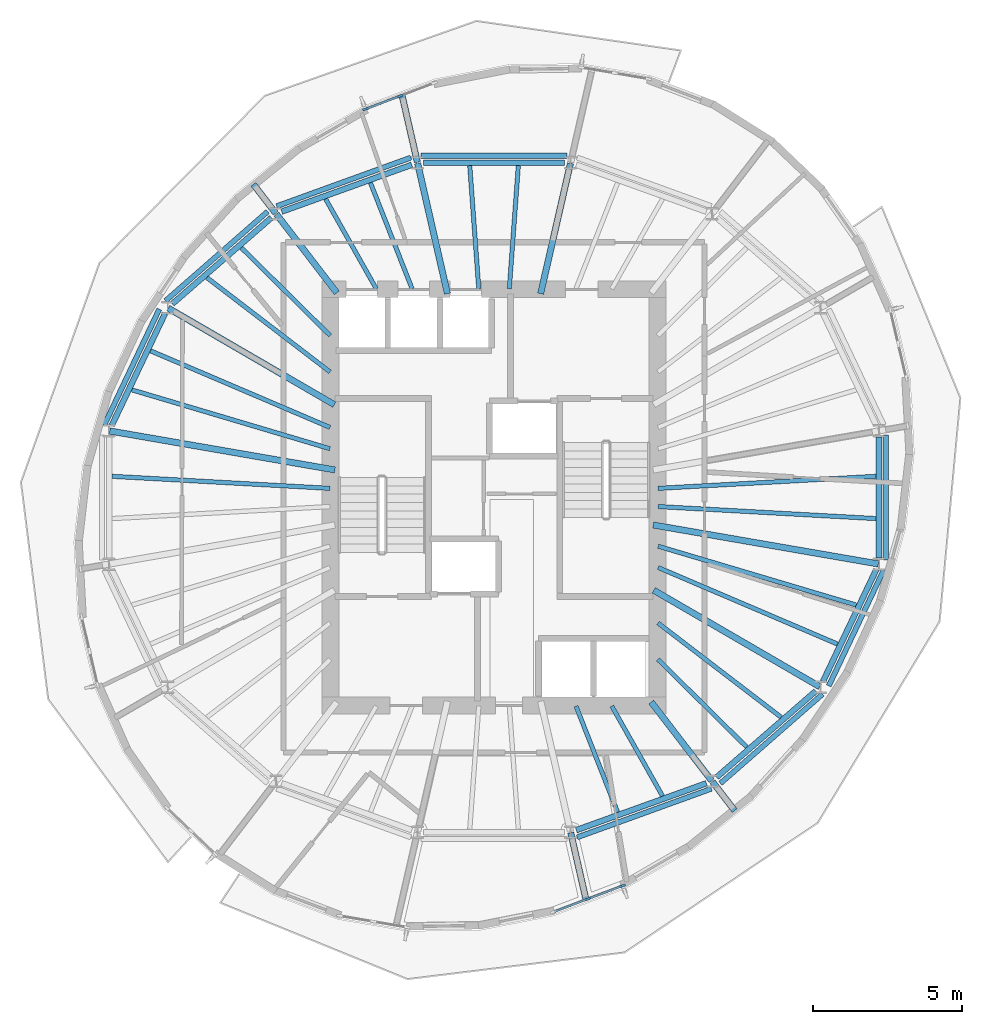
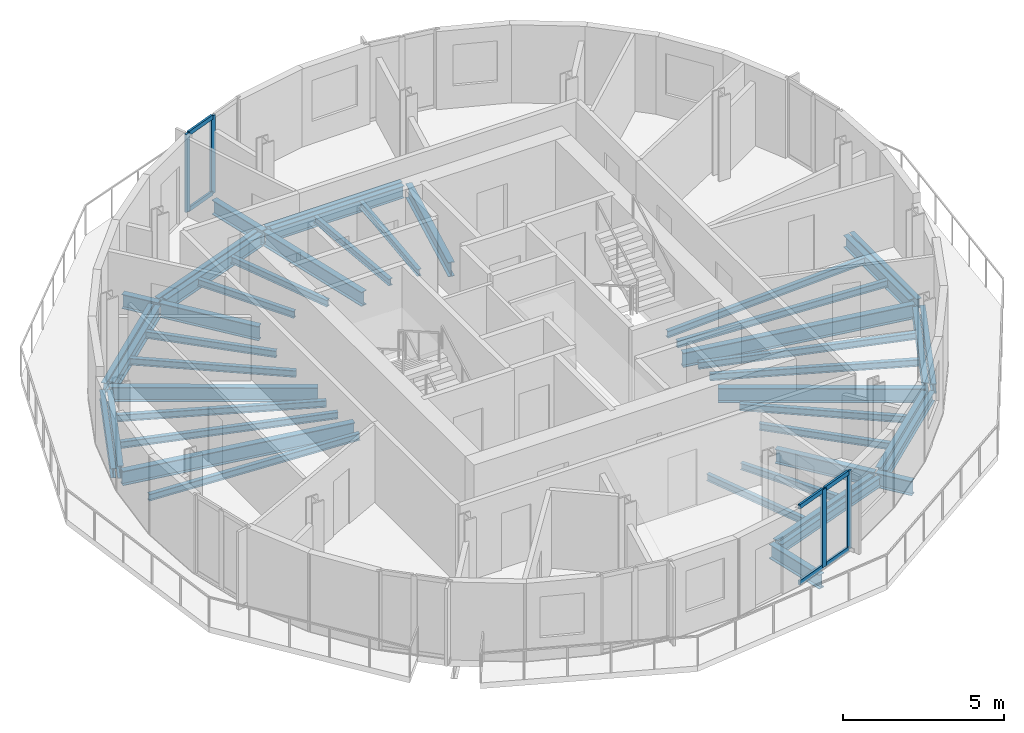
# One storey, part 2 of 11: 45 beams, 10 members, 2 elements without a shape of their own.
"""IFC4 building model written with IfcOpenShell, lengths in metres."""

import ifcopenshell
import ifcopenshell.guid

model = None  # the IFC model being written
_history = None  # IfcOwnerHistory: only IFC2X3 demands one
_inside = {}  # id of a spatial element -> (the spatial element, [elements in it])
_under = {}  # id of a project, library or spatial element -> (it, [spatial elements below it])
_declared = {}  # id of a project -> (the project, [libraries it declares])
_typed = {}  # id of a type object -> (the type object, [elements of that type])
_made_of = {}  # id of a material, layer set ... -> (it, [elements and type objects made of it])


def new_model(schema):
    """Start an empty IFC model of exactly this schema.

    Asked for "IFC4X3", IfcOpenShell would pick the latest addendum, in which some entities
    have other attributes; the version numbers below select the first issue.
    IFC2X3 requires an IfcOwnerHistory on every rooted entity: one is made here for all.
    """
    global model, _history
    if schema == "IFC4X3":
        model = ifcopenshell.file(schema_version=(4, 3, 0, 0))
    else:
        model = ifcopenshell.file(schema=schema)
    _inside.clear()
    _under.clear()
    _declared.clear()
    _typed.clear()
    _made_of.clear()
    _history = None
    if model.schema == "IFC2X3":
        org = make("IfcOrganization", Name="unknown")
        user = make(
            "IfcPersonAndOrganization",
            ThePerson=make("IfcPerson", FamilyName="unknown"),
            TheOrganization=org,
        )
        app = make(
            "IfcApplication",
            ApplicationDeveloper=org,
            Version="unknown",
            ApplicationFullName="unknown",
            ApplicationIdentifier="unknown",
        )
        _history = make(
            "IfcOwnerHistory",
            OwningUser=user,
            OwningApplication=app,
            ChangeAction="ADDED",
            CreationDate=0,
        )
    return model


def make(cls, **values):
    """One entity of the class cls with the attributes given. An attribute that is None is left unset."""
    return model.create_entity(
        cls, **{name: value for name, value in values.items() if value is not None}
    )


def rooted(cls, **values):
    """An entity with a GlobalId (a new one), such as an element, a storey or a relation."""
    return make(cls, GlobalId=ifcopenshell.guid.new(), OwnerHistory=_history, **values)


def si_unit(unit_type, name, prefix=None):
    """IfcSIUnit, for example si_unit("LENGTHUNIT", "METRE", prefix="MILLI")."""
    return make("IfcSIUnit", UnitType=unit_type, Prefix=prefix, Name=name)


def assignment(units):
    """IfcUnitAssignment: the units of a project."""
    return None if units is None else make("IfcUnitAssignment", Units=units)


def point(xyz):
    """IfcCartesianPoint."""
    return None if xyz is None else make("IfcCartesianPoint", Coordinates=xyz)


def direction(xyz):
    """IfcDirection."""
    return None if xyz is None else make("IfcDirection", DirectionRatios=xyz)


def frame(location, z_axis=None, x_axis=None):
    """IfcAxis2Placement3D, a coordinate frame: its origin and axes. An axis left out is left unset."""
    return make(
        "IfcAxis2Placement3D",
        Location=point(location),
        Axis=direction(z_axis),
        RefDirection=direction(x_axis),
    )


def frame_2d(location, x_axis=None):
    """IfcAxis2Placement2D, a coordinate frame in the plane: its origin and x axis."""
    return make(
        "IfcAxis2Placement2D", Location=point(location), RefDirection=direction(x_axis)
    )


def origin():
    """The frame at (0, 0, 0) with its axes left unset."""
    return frame((0.0, 0.0, 0.0))


def origin_2d():
    """The frame at (0, 0) in the plane with its x axis left unset."""
    return frame_2d((0.0, 0.0))


def place(relative_to, where):
    """IfcLocalPlacement: puts the frame where relative to a parent placement (None: the world)."""
    return make(
        "IfcLocalPlacement", PlacementRelTo=relative_to, RelativePlacement=where
    )


def context(
    kind, dimensions, precision=None, world=None, true_north=None, identifier=None
):
    """IfcGeometricRepresentationContext, for example the 3D "Model" context."""
    return make(
        "IfcGeometricRepresentationContext",
        ContextIdentifier=identifier,
        ContextType=kind,
        CoordinateSpaceDimension=dimensions,
        Precision=precision,
        WorldCoordinateSystem=world,
        TrueNorth=true_north,
    )


def subcontext(parent, identifier, kind, view, scale=None):
    """IfcGeometricRepresentationSubContext, for example "Body" below "Model"."""
    return make(
        "IfcGeometricRepresentationSubContext",
        ContextIdentifier=identifier,
        ContextType=kind,
        ParentContext=parent,
        TargetScale=scale,
        TargetView=view,
    )


def project(units=None, contexts=None):
    """IfcProject with its units and contexts."""
    return rooted(
        "IfcProject",
        Name="project",
        RepresentationContexts=contexts,
        UnitsInContext=assignment(units),
    )


def spatial(cls, under=None, at=None, **own):
    """A site, building, storey or space (cls), placed at a placement, below another one or the project."""
    s = rooted(cls, ObjectPlacement=at, **own)
    if under is not None:
        _under.setdefault(under.id(), (under, []))[1].append(s)
    return s


def profile(cls, at=None, kind="AREA", **sizes):
    """A parametric profile (cls). Its sizes go by their IFC names, for example OverallWidth=200.0."""
    return make(cls, ProfileType=kind, Position=at, **sizes)


def rectangle(**sizes):
    """IfcRectangleProfileDef."""
    return profile("IfcRectangleProfileDef", **sizes)


def i_section(**sizes):
    """IfcIShapeProfileDef."""
    return profile("IfcIShapeProfileDef", **sizes)


def extrude(swept, where, along, depth):
    """IfcExtrudedAreaSolid: the profile swept, set in the frame where, extruded along a direction by depth."""
    return make(
        "IfcExtrudedAreaSolid",
        SweptArea=swept,
        Position=where,
        ExtrudedDirection=direction(along),
        Depth=depth,
    )


def shape(context_of_items, identifier, shape_type, items):
    """IfcShapeRepresentation: the items that make up one representation, for example the "Body"."""
    return make(
        "IfcShapeRepresentation",
        ContextOfItems=context_of_items,
        RepresentationIdentifier=identifier,
        RepresentationType=shape_type,
        Items=items,
    )


def material(Name=None, Category=None):
    """IfcMaterial."""
    return make("IfcMaterial", Name=Name, Category=Category)


def material_profile(
    of_material, cross_section, Name=None, Category=None, Priority=None
):
    """IfcMaterialProfile: a cross section and its material."""
    return make(
        "IfcMaterialProfile",
        Name=Name,
        Material=of_material,
        Profile=cross_section,
        Priority=Priority,
        Category=Category,
    )


def profile_set(profiles, Name=None, composite=None):
    """IfcMaterialProfileSet."""
    return make(
        "IfcMaterialProfileSet",
        Name=Name,
        MaterialProfiles=profiles,
        CompositeProfile=composite,
    )


def made_of(thing, what):
    """Note that an element or type object is made of a material, layer set ...; save() writes the relation."""
    if what is not None:
        _made_of.setdefault(what.id(), (what, []))[1].append(thing)
    return thing


def type_object(cls, material=None, **own):
    """A type object (cls), such as IfcWallType, which elements share."""
    return made_of(rooted(cls, **own), material)


def element(
    cls,
    number,
    at=None,
    inside=None,
    cuts=None,
    type_object=None,
    material=None,
    context=None,
    identifier="Body",
    shape_type=None,
    held_by="IfcProductDefinitionShape",
    body=None,
    shapes=None,
    **own,
):
    """One element of the class cls, such as IfcWall. Its Tag is "e" and its number.

    at: its placement. inside: the storey or other place that contains it. cuts: it is an
    opening in that element (IfcRelVoidsElement). A single representation is given by context,
    identifier, shape_type and body (its items); several are given by shapes. held_by: the class
    of the entity that holds the representations. save() writes the other relations.
    """
    e = rooted(cls, Tag="e%d" % number, ObjectPlacement=at, **own)
    if body is not None:
        shapes = [shape(context, identifier, shape_type, body)]
    if shapes is not None:
        e.Representation = make(held_by, Representations=shapes)
    if inside is not None:
        _inside.setdefault(inside.id(), (inside, []))[1].append(e)
    if cuts is not None:
        rooted(
            "IfcRelVoidsElement", RelatingBuildingElement=cuts, RelatedOpeningElement=e
        )
    if type_object is not None:
        _typed.setdefault(type_object.id(), (type_object, []))[1].append(e)
    return made_of(e, material)


def aggregate(whole, parts):
    """IfcRelAggregates: a whole, such as a stair, and the parts it consists of."""
    return rooted("IfcRelAggregates", RelatingObject=whole, RelatedObjects=parts)


def save(model, path):
    """Write the relations noted so far, then the file.

    IfcRelAggregates (storeys below a building ...), IfcRelContainedInSpatialStructure (elements
    in a storey), IfcRelDefinesByType, IfcRelAssociatesMaterial and IfcRelDeclares: one each for
    every whole, place, type object, material and project.
    """
    for whole, parts in _under.values():
        aggregate(whole, parts)
    for where, things in _inside.values():
        rooted(
            "IfcRelContainedInSpatialStructure",
            RelatedElements=things,
            RelatingStructure=where,
        )
    for kind, things in _typed.values():
        rooted("IfcRelDefinesByType", RelatedObjects=things, RelatingType=kind)
    for what, things in _made_of.values():
        rooted("IfcRelAssociatesMaterial", RelatedObjects=things, RelatingMaterial=what)
    for by, libraries in _declared.values():
        rooted("IfcRelDeclares", RelatingContext=by, RelatedDefinitions=libraries)
    model.write(path)


model = new_model("IFC4")

# Units and contexts
model_context = context("Model", 3, precision=1e-05, world=origin(), true_north=direction((0.0, 1.0)))
body_context = subcontext(model_context, "Body", "Model", "MODEL_VIEW")
ifc_project = project(units=[si_unit("LENGTHUNIT", "METRE"), si_unit("AREAUNIT", "SQUARE_METRE"), si_unit("VOLUMEUNIT", "CUBIC_METRE"), si_unit("PLANEANGLEUNIT", "RADIAN"), si_unit("MASSUNIT", "GRAM", prefix="KILO")], contexts=[model_context])

# Site, building, storey
site_placement = place(None, origin())
site = spatial("IfcSite", under=ifc_project, at=site_placement, CompositionType="ELEMENT")
building_placement = place(site_placement, origin())
building = spatial("IfcBuilding", under=site, at=building_placement, Name="Veldorim Arch Residences", CompositionType="ELEMENT")
storey_placement = place(building_placement, frame((0.0, 0.0, 207.840087890625)))
storey = spatial("IfcBuildingStorey", under=building, at=storey_placement, Name="L62", CompositionType="ELEMENT", Elevation=207.840087890625)

# Beams
ifc_material_1 = material(Name="Steel S355", Category="steel")
ifc_material_profile_1 = material_profile(ifc_material_1, i_section(OverallWidth=0.2119140625, OverallDepth=0.54443359375, WebThickness=0.0126953125, FlangeThickness=0.021240234375, at=origin_2d()), Name="UB533x210x122")
ifc_profile_set_1 = profile_set([ifc_material_profile_1], Name="Steel S355")
beam_type_1 = type_object("IfcBeamType", Name="Structural Steel Beam UB533x210x122", PredefinedType="BEAM", material=ifc_profile_set_1)
for number, where, z_axis, x_axis, name in (
    (1, (33.567626953125, 30.853759765625, -0.512451171875), (0.222952976993, 0.97482920045, 0.0), (-0.97482920045, 0.222952976993, 0.0), "L62 radial floor girder 04"),
    (2, (30.432373046875, 30.853759765625, -0.512451171875), (-0.222952976993, 0.97482920045, 0.0), (-0.97482920045, -0.222952976993, 0.0), "L62 radial floor girder 05"),
):
    element("IfcBeam", number, at=place(storey_placement, frame(where, z_axis=z_axis, x_axis=x_axis)), inside=storey, type_object=beam_type_1, Name=name, PredefinedType="BEAM", context=body_context, shape_type="SweptSolid", body=[
        extrude(i_section(OverallWidth=0.2119140625, OverallDepth=0.54443359375, WebThickness=0.0126953125, FlangeThickness=0.021240234375, at=origin_2d()), origin(), (0.0, 0.0, 1.0), 4.49951171875),
    ])
beam_1_placement = place(storey_placement, frame((29.42041015625, 35.27880859375, -0.512451171875), z_axis=(-0.222911349828, 0.974838720055, 0.0), x_axis=(-0.974838720055, -0.222911349828, 0.0)))
element("IfcBeam", 3, at=beam_1_placement, inside=storey, type_object=beam_type_1, Name="L62 radial edge cantilever girder 05", PredefinedType="BEAM", context=body_context, shape_type="SweptSolid", body=[
    extrude(i_section(OverallWidth=0.2119140625, OverallDepth=0.54443359375, WebThickness=0.0126953125, FlangeThickness=0.021240234375, at=origin_2d()), origin(), (0.0, 0.0, 1.0), 2.2978515625),
])
beam_2_placement = place(storey_placement, frame((26.71337890625, 30.881103515625, -0.512451171875), z_axis=(-0.609258442308, 0.792971721108, 0.0), x_axis=(-0.792971721108, -0.609258442308, 0.0)))
element("IfcBeam", 4, at=beam_2_placement, inside=storey, type_object=beam_type_1, Name="L62 radial floor girder 06", PredefinedType="BEAM", context=body_context, shape_type="SweptSolid", body=[
    extrude(i_section(OverallWidth=0.2119140625, OverallDepth=0.54443359375, WebThickness=0.0126953125, FlangeThickness=0.021240234375, at=origin_2d()), origin(), (0.0, 0.0, 1.0), 3.339599609375),
])
beam_3_placement = place(storey_placement, frame((24.654296875, 33.561279296875, -0.512451171875), z_axis=(-0.609325761241, 0.792919993876, 0.0), x_axis=(-0.792919993876, -0.609325761241, 0.0)))
element("IfcBeam", 5, at=beam_3_placement, inside=storey, type_object=beam_type_1, Name="L62 radial edge cantilever girder 06", PredefinedType="BEAM", context=body_context, shape_type="SweptSolid", body=[
    extrude(i_section(OverallWidth=0.2119140625, OverallDepth=0.54443359375, WebThickness=0.0126953125, FlangeThickness=0.021240234375, at=origin_2d()), origin(), (0.0, 0.0, 1.0), 1.22607421875),
])
beam_4_placement = place(storey_placement, frame((26.629638671875, 27.12060546875, -0.512451171875), z_axis=(-0.864595736304, 0.502468121142, 0.0), x_axis=(-0.502468121142, -0.864595736304, 0.0)))
element("IfcBeam", 6, at=beam_4_placement, inside=storey, type_object=beam_type_1, Name="L62 radial floor girder 07", PredefinedType="BEAM", context=body_context, shape_type="SweptSolid", body=[
    extrude(i_section(OverallWidth=0.2119140625, OverallDepth=0.54443359375, WebThickness=0.0126953125, FlangeThickness=0.021240234375, at=origin_2d()), origin(), (0.0, 0.0, 1.0), 6.462646484375),
])
beam_5_placement = place(storey_placement, frame((26.647705078125, 24.92578125, -0.512451171875), z_axis=(-0.985364974081, 0.170457818401, 0.0), x_axis=(-0.170457818401, -0.985364974081, 0.0)))
element("IfcBeam", 7, at=beam_5_placement, inside=storey, type_object=beam_type_1, Name="L62 radial floor girder 08", PredefinedType="BEAM", context=body_context, shape_type="SweptSolid", body=[
    extrude(i_section(OverallWidth=0.2119140625, OverallDepth=0.54443359375, WebThickness=0.0126953125, FlangeThickness=0.021240234375, at=origin_2d()), origin(), (0.0, 0.0, 1.0), 7.68701171875),
])
beam_6_placement = place(storey_placement, frame((34.57958984375, 12.72119140625, -0.512451171875), z_axis=(0.222911349828, -0.974838720055, 0.0), x_axis=(0.974838720055, 0.222911349828, 0.0)))
element("IfcBeam", 8, at=beam_6_placement, inside=storey, type_object=beam_type_1, Name="L62 radial edge cantilever girder 13", PredefinedType="BEAM", context=body_context, shape_type="SweptSolid", body=[
    extrude(i_section(OverallWidth=0.2119140625, OverallDepth=0.54443359375, WebThickness=0.0126953125, FlangeThickness=0.021240234375, at=origin_2d()), origin(), (0.0, 0.0, 1.0), 2.2978515625),
])
beam_7_placement = place(storey_placement, frame((37.28662109375, 17.118896484375, -0.512451171875), z_axis=(0.609258442308, -0.792971721108, 0.0), x_axis=(0.792971721108, 0.609258442308, 0.0)))
element("IfcBeam", 9, at=beam_7_placement, inside=storey, type_object=beam_type_1, Name="L62 radial floor girder 14", PredefinedType="BEAM", context=body_context, shape_type="SweptSolid", body=[
    extrude(i_section(OverallWidth=0.2119140625, OverallDepth=0.54443359375, WebThickness=0.0126953125, FlangeThickness=0.021240234375, at=origin_2d()), origin(), (0.0, 0.0, 1.0), 3.339599609375),
])
beam_8_placement = place(storey_placement, frame((39.345703125, 14.438720703125, -0.512451171875), z_axis=(0.609325761241, -0.792919993876, 0.0), x_axis=(0.792919993876, 0.609325761241, 0.0)))
element("IfcBeam", 10, at=beam_8_placement, inside=storey, type_object=beam_type_1, Name="L62 radial edge cantilever girder 14", PredefinedType="BEAM", context=body_context, shape_type="SweptSolid", body=[
    extrude(i_section(OverallWidth=0.2119140625, OverallDepth=0.54443359375, WebThickness=0.0126953125, FlangeThickness=0.021240234375, at=origin_2d()), origin(), (0.0, 0.0, 1.0), 1.22607421875),
])
beam_9_placement = place(storey_placement, frame((37.370361328125, 20.87939453125, -0.512451171875), z_axis=(0.864595736304, -0.502468121142, 0.0), x_axis=(0.502468121142, 0.864595736304, 0.0)))
element("IfcBeam", 11, at=beam_9_placement, inside=storey, type_object=beam_type_1, Name="L62 radial floor girder 15", PredefinedType="BEAM", context=body_context, shape_type="SweptSolid", body=[
    extrude(i_section(OverallWidth=0.2119140625, OverallDepth=0.54443359375, WebThickness=0.0126953125, FlangeThickness=0.021240234375, at=origin_2d()), origin(), (0.0, 0.0, 1.0), 6.462646484375),
])
beam_10_placement = place(storey_placement, frame((37.352294921875, 23.07421875, -0.512451171875), z_axis=(0.985364974081, -0.170457818401, 0.0), x_axis=(0.170457818401, 0.985364974081, 0.0)))
element("IfcBeam", 12, at=beam_10_placement, inside=storey, type_object=beam_type_1, Name="L62 radial floor girder 16", PredefinedType="BEAM", context=body_context, shape_type="SweptSolid", body=[
    extrude(i_section(OverallWidth=0.2119140625, OverallDepth=0.54443359375, WebThickness=0.0126953125, FlangeThickness=0.021240234375, at=origin_2d()), origin(), (0.0, 0.0, 1.0), 7.68701171875),
])
ifc_material_2 = material(Name="Steel S355", Category="steel")
ifc_material_profile_2 = material_profile(ifc_material_2, i_section(OverallWidth=0.146484375, OverallDepth=0.256103515625, WebThickness=0.00634765625, FlangeThickness=0.010986328125, at=origin_2d()), Name="UB254x146x37")
ifc_profile_set_2 = profile_set([ifc_material_profile_2], Name="Steel S355")
beam_type_2 = type_object("IfcBeamType", Name="Structural Steel Joist UB254x146x37", PredefinedType="JOIST", material=ifc_profile_set_2)
for number, where, z_axis, x_axis, name in (
    (13, (32.513916015625, 31.02001953125, -0.3681640625), (0.072985625899, 0.997332992742, 0.0), (-0.997332992742, 0.072985625899, 0.0), "L62 secondary radial floor joist 04-1"),
    (14, (31.486083984375, 31.02001953125, -0.3681640625), (-0.072985625899, 0.997332992742, 0.0), (-0.997332992742, -0.072985625899, 0.0), "L62 secondary radial floor joist 04-2"),
):
    element("IfcBeam", number, at=place(storey_placement, frame(where, z_axis=z_axis, x_axis=x_axis)), inside=storey, type_object=beam_type_2, Name=name, PredefinedType="JOIST", context=body_context, shape_type="SweptSolid", body=[
        extrude(i_section(OverallWidth=0.146484375, OverallDepth=0.256103515625, WebThickness=0.00634765625, FlangeThickness=0.010986328125, at=origin_2d()), origin(), (0.0, 0.0, 1.0), 4.151123046875),
    ])
beam_11_placement = place(storey_placement, frame((29.24365234375, 31.0185546875, -0.3681640625), z_axis=(-0.365581383042, 0.930779379001, 0.0), x_axis=(-0.930779379001, -0.365581383042, 0.0)))
element("IfcBeam", 15, at=beam_11_placement, inside=storey, type_object=beam_type_2, Name="L62 secondary radial floor joist 05-1", PredefinedType="JOIST", context=body_context, shape_type="SweptSolid", body=[
    extrude(i_section(OverallWidth=0.146484375, OverallDepth=0.256103515625, WebThickness=0.00634765625, FlangeThickness=0.010986328125, at=origin_2d()), origin(), (0.0, 0.0, 1.0), 3.83056640625),
])
beam_12_placement = place(storey_placement, frame((28.039794921875, 31.017333984375, -0.3681640625), z_axis=(-0.491452469585, 0.870904397818, 0.0), x_axis=(-0.870904397818, -0.491452469585, 0.0)))
element("IfcBeam", 16, at=beam_12_placement, inside=storey, type_object=beam_type_2, Name="L62 secondary radial floor joist 05-2", PredefinedType="JOIST", context=body_context, shape_type="SweptSolid", body=[
    extrude(i_section(OverallWidth=0.146484375, OverallDepth=0.256103515625, WebThickness=0.00634765625, FlangeThickness=0.010986328125, at=origin_2d()), origin(), (0.0, 0.0, 1.0), 3.472412109375),
])
beam_13_placement = place(storey_placement, frame((26.48583984375, 29.44775390625, -0.3681640625), z_axis=(-0.711396725432, 0.702790650937, 0.0), x_axis=(-0.702790650937, -0.711396725432, 0.0)))
element("IfcBeam", 17, at=beam_13_placement, inside=storey, type_object=beam_type_2, Name="L62 secondary radial floor joist 06-1", PredefinedType="JOIST", context=body_context, shape_type="SweptSolid", body=[
    extrude(i_section(OverallWidth=0.146484375, OverallDepth=0.256103515625, WebThickness=0.00634765625, FlangeThickness=0.010986328125, at=origin_2d()), origin(), (0.0, 0.0, 1.0), 4.198486328125),
])
beam_14_placement = place(storey_placement, frame((26.484130859375, 28.222900390625, -0.3681640625), z_axis=(-0.794013672216, 0.607899899929, 0.0), x_axis=(-0.607899899929, -0.794013672216, 0.0)))
element("IfcBeam", 18, at=beam_14_placement, inside=storey, type_object=beam_type_2, Name="L62 secondary radial floor joist 06-2", PredefinedType="JOIST", context=body_context, shape_type="SweptSolid", body=[
    extrude(i_section(OverallWidth=0.146484375, OverallDepth=0.256103515625, WebThickness=0.00634765625, FlangeThickness=0.010986328125, at=origin_2d()), origin(), (0.0, 0.0, 1.0), 5.217041015625),
])
beam_15_placement = place(storey_placement, frame((26.481689453125, 26.355712890625, -0.3681640625), z_axis=(-0.919725161652, 0.392562895629, 0.0), x_axis=(-0.392562895629, -0.919725161652, 0.0)))
element("IfcBeam", 19, at=beam_15_placement, inside=storey, type_object=beam_type_2, Name="L62 secondary radial floor joist 07-1", PredefinedType="JOIST", context=body_context, shape_type="SweptSolid", body=[
    extrude(i_section(OverallWidth=0.146484375, OverallDepth=0.256103515625, WebThickness=0.00634765625, FlangeThickness=0.010986328125, at=origin_2d()), origin(), (0.0, 0.0, 1.0), 6.5625),
])
beam_16_placement = place(storey_placement, frame((26.480712890625, 25.639404296875, -0.3681640625), z_axis=(-0.958594432792, 0.284774846889, 0.0), x_axis=(-0.284774846889, -0.958594432792, 0.0)))
element("IfcBeam", 20, at=beam_16_placement, inside=storey, type_object=beam_type_2, Name="L62 secondary radial floor joist 07-2", PredefinedType="JOIST", context=body_context, shape_type="SweptSolid", body=[
    extrude(i_section(OverallWidth=0.146484375, OverallDepth=0.256103515625, WebThickness=0.00634765625, FlangeThickness=0.010986328125, at=origin_2d()), origin(), (0.0, 0.0, 1.0), 6.949462890625),
])
beam_17_placement = place(storey_placement, frame((26.47998046875, 24.3056640625, -0.3681640625), z_axis=(-0.998472000884, 0.055259962464, 0.0), x_axis=(-0.055259962464, -0.998472000884, 0.0)))
element("IfcBeam", 21, at=beam_17_placement, inside=storey, type_object=beam_type_2, Name="L62 secondary radial floor joist 08-1", PredefinedType="JOIST", context=body_context, shape_type="SweptSolid", body=[
    extrude(i_section(OverallWidth=0.146484375, OverallDepth=0.256103515625, WebThickness=0.00634765625, FlangeThickness=0.010986328125, at=origin_2d()), origin(), (0.0, 0.0, 1.0), 7.33837890625),
])
beam_18_placement = place(storey_placement, frame((34.75634765625, 16.9814453125, -0.3681640625), z_axis=(0.365581383042, -0.930779379001, 0.0), x_axis=(0.930779379001, 0.365581383042, 0.0)))
element("IfcBeam", 22, at=beam_18_placement, inside=storey, type_object=beam_type_2, Name="L62 secondary radial floor joist 13-1", PredefinedType="JOIST", context=body_context, shape_type="SweptSolid", body=[
    extrude(i_section(OverallWidth=0.146484375, OverallDepth=0.256103515625, WebThickness=0.00634765625, FlangeThickness=0.010986328125, at=origin_2d()), origin(), (0.0, 0.0, 1.0), 3.83056640625),
])
beam_19_placement = place(storey_placement, frame((35.960205078125, 16.982666015625, -0.3681640625), z_axis=(0.491452469585, -0.870904397818, 0.0), x_axis=(0.870904397818, 0.491452469585, 0.0)))
element("IfcBeam", 23, at=beam_19_placement, inside=storey, type_object=beam_type_2, Name="L62 secondary radial floor joist 13-2", PredefinedType="JOIST", context=body_context, shape_type="SweptSolid", body=[
    extrude(i_section(OverallWidth=0.146484375, OverallDepth=0.256103515625, WebThickness=0.00634765625, FlangeThickness=0.010986328125, at=origin_2d()), origin(), (0.0, 0.0, 1.0), 3.472412109375),
])
beam_20_placement = place(storey_placement, frame((37.51416015625, 18.55224609375, -0.3681640625), z_axis=(0.711396725432, -0.702790650937, 0.0), x_axis=(0.702790650937, 0.711396725432, 0.0)))
element("IfcBeam", 24, at=beam_20_placement, inside=storey, type_object=beam_type_2, Name="L62 secondary radial floor joist 14-1", PredefinedType="JOIST", context=body_context, shape_type="SweptSolid", body=[
    extrude(i_section(OverallWidth=0.146484375, OverallDepth=0.256103515625, WebThickness=0.00634765625, FlangeThickness=0.010986328125, at=origin_2d()), origin(), (0.0, 0.0, 1.0), 4.198486328125),
])
beam_21_placement = place(storey_placement, frame((37.515869140625, 19.777099609375, -0.3681640625), z_axis=(0.794013672216, -0.607899899929, 0.0), x_axis=(0.607899899929, 0.794013672216, 0.0)))
element("IfcBeam", 25, at=beam_21_placement, inside=storey, type_object=beam_type_2, Name="L62 secondary radial floor joist 14-2", PredefinedType="JOIST", context=body_context, shape_type="SweptSolid", body=[
    extrude(i_section(OverallWidth=0.146484375, OverallDepth=0.256103515625, WebThickness=0.00634765625, FlangeThickness=0.010986328125, at=origin_2d()), origin(), (0.0, 0.0, 1.0), 5.217041015625),
])
beam_22_placement = place(storey_placement, frame((37.518310546875, 21.644287109375, -0.3681640625), z_axis=(0.919725161652, -0.392562895629, 0.0), x_axis=(0.392562895629, 0.919725161652, 0.0)))
element("IfcBeam", 26, at=beam_22_placement, inside=storey, type_object=beam_type_2, Name="L62 secondary radial floor joist 15-1", PredefinedType="JOIST", context=body_context, shape_type="SweptSolid", body=[
    extrude(i_section(OverallWidth=0.146484375, OverallDepth=0.256103515625, WebThickness=0.00634765625, FlangeThickness=0.010986328125, at=origin_2d()), origin(), (0.0, 0.0, 1.0), 6.5625),
])
beam_23_placement = place(storey_placement, frame((37.519287109375, 22.360595703125, -0.3681640625), z_axis=(0.958594432792, -0.284774846889, 0.0), x_axis=(0.284774846889, 0.958594432792, 0.0)))
element("IfcBeam", 27, at=beam_23_placement, inside=storey, type_object=beam_type_2, Name="L62 secondary radial floor joist 15-2", PredefinedType="JOIST", context=body_context, shape_type="SweptSolid", body=[
    extrude(i_section(OverallWidth=0.146484375, OverallDepth=0.256103515625, WebThickness=0.00634765625, FlangeThickness=0.010986328125, at=origin_2d()), origin(), (0.0, 0.0, 1.0), 6.949462890625),
])
for number, where, z_axis, x_axis, name in (
    (28, (37.52001953125, 23.6943359375, -0.3681640625), (0.998472000884, -0.055259962464, 0.0), (0.055259962464, 0.998472000884, 0.0), "L62 secondary radial floor joist 16-1"),
    (29, (37.52001953125, 24.3056640625, -0.3681640625), (0.998472000884, 0.055259962464, 0.0), (-0.055259962464, 0.998472000884, 0.0), "L62 secondary radial floor joist 16-2"),
):
    element("IfcBeam", number, at=place(storey_placement, frame(where, z_axis=z_axis, x_axis=x_axis)), inside=storey, type_object=beam_type_2, Name=name, PredefinedType="JOIST", context=body_context, shape_type="SweptSolid", body=[
        extrude(i_section(OverallWidth=0.146484375, OverallDepth=0.256103515625, WebThickness=0.00634765625, FlangeThickness=0.010986328125, at=origin_2d()), origin(), (0.0, 0.0, 1.0), 7.33837890625),
    ])
ifc_material_3 = material(Name="Steel S355", Category="steel")
ifc_material_profile_3 = material_profile(ifc_material_3, i_section(OverallWidth=0.172119140625, OverallDepth=0.35791015625, WebThickness=0.008056640625, FlangeThickness=0.012939453125, at=origin_2d()), Name="UB356x171x57")
ifc_profile_set_3 = profile_set([ifc_material_profile_3], Name="Steel S355")
beam_type_3 = type_object("IfcBeamType", Name="Structural Steel Spandrel UB356x171x57", PredefinedType="SPANDREL", material=ifc_profile_set_3)
beam_24_placement = place(storey_placement, frame((34.44970703125, 35.493408203125, -0.439208984375), z_axis=(-1.0, 0.0, 0.0), x_axis=(0.0, -1.0, 0.0)))
element("IfcBeam", 30, at=beam_24_placement, inside=storey, type_object=beam_type_3, Name="L62 perimeter chord spandrel beam 04", PredefinedType="SPANDREL", context=body_context, shape_type="SweptSolid", body=[
    extrude(i_section(OverallWidth=0.172119140625, OverallDepth=0.35791015625, WebThickness=0.008056640625, FlangeThickness=0.012939453125, at=origin_2d()), origin(), (0.0, 0.0, 1.0), 4.8994140625),
])
beam_25_placement = place(storey_placement, frame((29.202880859375, 35.432373046875, -0.439208984375), z_axis=(-0.940178823137, -0.340681347486, 0.0), x_axis=(0.340681347486, -0.940178823137, 0.0)))
element("IfcBeam", 31, at=beam_25_placement, inside=storey, type_object=beam_type_3, Name="L62 perimeter chord spandrel beam 05", PredefinedType="SPANDREL", context=body_context, shape_type="SweptSolid", body=[
    extrude(i_section(OverallWidth=0.172119140625, OverallDepth=0.35791015625, WebThickness=0.008056640625, FlangeThickness=0.012939453125, at=origin_2d()), origin(), (0.0, 0.0, 1.0), 4.80126953125),
])
beam_26_placement = place(storey_placement, frame((24.385498046875, 33.617919921875, -0.439208984375), z_axis=(-0.752868439096, -0.658171036596, 0.0), x_axis=(0.658171036596, -0.752868439096, 0.0)))
element("IfcBeam", 32, at=beam_26_placement, inside=storey, type_object=beam_type_3, Name="L62 perimeter chord spandrel beam 06", PredefinedType="SPANDREL", context=body_context, shape_type="SweptSolid", body=[
    extrude(i_section(OverallWidth=0.172119140625, OverallDepth=0.35791015625, WebThickness=0.008056640625, FlangeThickness=0.012939453125, at=origin_2d()), origin(), (0.0, 0.0, 1.0), 4.560791015625),
])
beam_27_placement = place(storey_placement, frame((20.740478515625, 30.336669921875, -0.439208984375), z_axis=(-0.428468601304, -0.903556670994, 0.0), x_axis=(0.903556670994, -0.428468601304, 0.0)))
element("IfcBeam", 33, at=beam_27_placement, inside=storey, type_object=beam_type_3, Name="L62 perimeter chord spandrel beam 07", PredefinedType="SPANDREL", context=body_context, shape_type="SweptSolid", body=[
    extrude(i_section(OverallWidth=0.172119140625, OverallDepth=0.35791015625, WebThickness=0.008056640625, FlangeThickness=0.012939453125, at=origin_2d()), origin(), (0.0, 0.0, 1.0), 4.31005859375),
])
beam_28_placement = place(storey_placement, frame((34.797119140625, 12.567626953125, -0.439208984375), z_axis=(0.940178823137, 0.340681347486, 0.0), x_axis=(-0.340681347486, 0.940178823137, 0.0)))
element("IfcBeam", 34, at=beam_28_placement, inside=storey, type_object=beam_type_3, Name="L62 perimeter chord spandrel beam 13", PredefinedType="SPANDREL", context=body_context, shape_type="SweptSolid", body=[
    extrude(i_section(OverallWidth=0.172119140625, OverallDepth=0.35791015625, WebThickness=0.008056640625, FlangeThickness=0.012939453125, at=origin_2d()), origin(), (0.0, 0.0, 1.0), 4.80126953125),
])
beam_29_placement = place(storey_placement, frame((39.614501953125, 14.382080078125, -0.439208984375), z_axis=(0.752868439096, 0.658171036596, 0.0), x_axis=(-0.658171036596, 0.752868439096, 0.0)))
element("IfcBeam", 35, at=beam_29_placement, inside=storey, type_object=beam_type_3, Name="L62 perimeter chord spandrel beam 14", PredefinedType="SPANDREL", context=body_context, shape_type="SweptSolid", body=[
    extrude(i_section(OverallWidth=0.172119140625, OverallDepth=0.35791015625, WebThickness=0.008056640625, FlangeThickness=0.012939453125, at=origin_2d()), origin(), (0.0, 0.0, 1.0), 4.560791015625),
])
beam_30_placement = place(storey_placement, frame((43.259521484375, 17.663330078125, -0.439208984375), z_axis=(0.428468601304, 0.903556670994, 0.0), x_axis=(-0.903556670994, 0.428468601304, 0.0)))
element("IfcBeam", 36, at=beam_30_placement, inside=storey, type_object=beam_type_3, Name="L62 perimeter chord spandrel beam 15", PredefinedType="SPANDREL", context=body_context, shape_type="SweptSolid", body=[
    extrude(i_section(OverallWidth=0.172119140625, OverallDepth=0.35791015625, WebThickness=0.008056640625, FlangeThickness=0.012939453125, at=origin_2d()), origin(), (0.0, 0.0, 1.0), 4.31005859375),
])
beam_31_placement = place(storey_placement, frame((45.182861328125, 21.898681640625, -0.439208984375), z_axis=(0.0, 1.0, 0.0), x_axis=(-1.0, 0.0, 0.0)))
element("IfcBeam", 37, at=beam_31_placement, inside=storey, type_object=beam_type_3, Name="L62 perimeter chord spandrel beam 16", PredefinedType="SPANDREL", context=body_context, shape_type="SweptSolid", body=[
    extrude(i_section(OverallWidth=0.172119140625, OverallDepth=0.35791015625, WebThickness=0.008056640625, FlangeThickness=0.012939453125, at=origin_2d()), origin(), (0.0, 0.0, 1.0), 4.20263671875),
])
ifc_material_4 = material(Name="Steel S355", Category="steel")
ifc_material_profile_4 = material_profile(ifc_material_4, i_section(OverallWidth=0.19140625, OverallDepth=0.4599609375, WebThickness=0.010009765625, FlangeThickness=0.01611328125, at=origin_2d()), Name="UB457x191x82")
ifc_profile_set_4 = profile_set([ifc_material_profile_4], Name="Steel S355")
beam_type_4 = type_object("IfcBeamType", Name="Structural Steel Spandrel UB457x191x82", PredefinedType="SPANDREL", material=ifc_profile_set_4)
beam_32_placement = place(storey_placement, frame((34.37158203125, 35.259521484375, -0.469970703125), z_axis=(-1.0, 0.0, 0.0), x_axis=(0.0, -1.0, 0.0)))
element("IfcBeam", 38, at=beam_32_placement, inside=storey, type_object=beam_type_4, Name="L62 perimeter ring tie beam 04", PredefinedType="SPANDREL", context=body_context, shape_type="SweptSolid", body=[
    extrude(i_section(OverallWidth=0.19140625, OverallDepth=0.4599609375, WebThickness=0.010009765625, FlangeThickness=0.01611328125, at=origin_2d()), origin(), (0.0, 0.0, 1.0), 4.7431640625),
])
beam_33_placement = place(storey_placement, frame((29.2333984375, 35.1904296875, -0.469970703125), z_axis=(-0.940819134121, -0.338909068736, 0.0), x_axis=(0.338909068736, -0.940819134121, 0.0)))
element("IfcBeam", 39, at=beam_33_placement, inside=storey, type_object=beam_type_4, Name="L62 perimeter ring tie beam 05", PredefinedType="SPANDREL", context=body_context, shape_type="SweptSolid", body=[
    extrude(i_section(OverallWidth=0.19140625, OverallDepth=0.4599609375, WebThickness=0.010009765625, FlangeThickness=0.01611328125, at=origin_2d()), origin(), (0.0, 0.0, 1.0), 4.650634765625),
])
beam_34_placement = place(storey_placement, frame((24.512939453125, 33.411865234375, -0.469970703125), z_axis=(-0.754534162517, -0.656260769508, 0.0), x_axis=(0.656260769508, -0.754534162517, 0.0)))
element("IfcBeam", 40, at=beam_34_placement, inside=storey, type_object=beam_type_4, Name="L62 perimeter ring tie beam 06", PredefinedType="SPANDREL", context=body_context, shape_type="SweptSolid", body=[
    extrude(i_section(OverallWidth=0.19140625, OverallDepth=0.4599609375, WebThickness=0.010009765625, FlangeThickness=0.01611328125, at=origin_2d()), origin(), (0.0, 0.0, 1.0), 4.419677734375),
])
beam_35_placement = place(storey_placement, frame((20.93701171875, 30.194091796875, -0.469970703125), z_axis=(-0.429992574394, -0.902832424078, 0.0), x_axis=(0.902832424078, -0.429992574394, 0.0)))
element("IfcBeam", 41, at=beam_35_placement, inside=storey, type_object=beam_type_4, Name="L62 perimeter ring tie beam 07", PredefinedType="SPANDREL", context=body_context, shape_type="SweptSolid", body=[
    extrude(i_section(OverallWidth=0.19140625, OverallDepth=0.4599609375, WebThickness=0.010009765625, FlangeThickness=0.01611328125, at=origin_2d()), origin(), (0.0, 0.0, 1.0), 4.176513671875),
])
beam_36_placement = place(storey_placement, frame((34.7666015625, 12.8095703125, -0.469970703125), z_axis=(0.940819134121, 0.338909068736, 0.0), x_axis=(-0.338909068736, 0.940819134121, 0.0)))
element("IfcBeam", 42, at=beam_36_placement, inside=storey, type_object=beam_type_4, Name="L62 perimeter ring tie beam 13", PredefinedType="SPANDREL", context=body_context, shape_type="SweptSolid", body=[
    extrude(i_section(OverallWidth=0.19140625, OverallDepth=0.4599609375, WebThickness=0.010009765625, FlangeThickness=0.01611328125, at=origin_2d()), origin(), (0.0, 0.0, 1.0), 4.650634765625),
])
beam_37_placement = place(storey_placement, frame((39.487060546875, 14.588134765625, -0.469970703125), z_axis=(0.754534162517, 0.656260769508, 0.0), x_axis=(-0.656260769508, 0.754534162517, 0.0)))
element("IfcBeam", 43, at=beam_37_placement, inside=storey, type_object=beam_type_4, Name="L62 perimeter ring tie beam 14", PredefinedType="SPANDREL", context=body_context, shape_type="SweptSolid", body=[
    extrude(i_section(OverallWidth=0.19140625, OverallDepth=0.4599609375, WebThickness=0.010009765625, FlangeThickness=0.01611328125, at=origin_2d()), origin(), (0.0, 0.0, 1.0), 4.419677734375),
])
beam_38_placement = place(storey_placement, frame((43.06298828125, 17.805908203125, -0.469970703125), z_axis=(0.429992574394, 0.902832424078, 0.0), x_axis=(-0.902832424078, 0.429992574394, 0.0)))
element("IfcBeam", 44, at=beam_38_placement, inside=storey, type_object=beam_type_4, Name="L62 perimeter ring tie beam 15", PredefinedType="SPANDREL", context=body_context, shape_type="SweptSolid", body=[
    extrude(i_section(OverallWidth=0.19140625, OverallDepth=0.4599609375, WebThickness=0.010009765625, FlangeThickness=0.01611328125, at=origin_2d()), origin(), (0.0, 0.0, 1.0), 4.176513671875),
])
beam_39_placement = place(storey_placement, frame((44.9462890625, 21.9638671875, -0.469970703125), z_axis=(0.0, 1.0, 0.0), x_axis=(-1.0, 0.0, 0.0)))
element("IfcBeam", 45, at=beam_39_placement, inside=storey, type_object=beam_type_4, Name="L62 perimeter ring tie beam 16", PredefinedType="SPANDREL", context=body_context, shape_type="SweptSolid", body=[
    extrude(i_section(OverallWidth=0.19140625, OverallDepth=0.4599609375, WebThickness=0.010009765625, FlangeThickness=0.01611328125, at=origin_2d()), origin(), (0.0, 0.0, 1.0), 4.072265625),
])

# Curtain wall, members
ifc_material_5 = material(Name="Aluminium", Category="aluminium")
curtain_wall_type = type_object("IfcCurtainWallType", Name="Zone 4 High-Altitude Unitised Curtain Wall", PredefinedType="NOTDEFINED", material=ifc_material_5)
curtain_wall_1_placement = place(storey_placement, origin())
curtain_wall_1 = element("IfcCurtainWall", 46, at=curtain_wall_1_placement, inside=storey, type_object=curtain_wall_type, Name="L62 unitised curtain wall bay 06", PredefinedType="NOTDEFINED")
ifc_material_6 = material(Name="Aluminium", Category="aluminium")
ifc_material_profile_5 = material_profile(ifc_material_6, rectangle(XDim=0.074951171875, YDim=0.195068359375, at=origin_2d()), Name="ALU_MUL_75x195")
ifc_profile_set_5 = profile_set([ifc_material_profile_5], Name="Aluminium")
member_type_1 = type_object("IfcMemberType", Name="Zone 4 High-Altitude Unitised Curtain Wall Mullion 75x195", PredefinedType="MULLION", material=ifc_profile_set_5)
member_1_placement = place(storey_placement, frame((27.674560546875, 37.06103515625, 0.0), z_axis=(0.0, 0.0, 1.0), x_axis=(-0.354241032275, 0.935154153631, 0.0)))
member_1 = element("IfcMember", 47, at=member_1_placement, type_object=member_type_1, Name="CW-Z4 mullion 1", PredefinedType="MULLION", context=body_context, shape_type="SweptSolid", body=[
    extrude(rectangle(XDim=0.074951171875, YDim=0.195068359375, at=origin_2d()), origin(), (0.0, 0.0, 1.0), 2.9599609375),
])
member_2_placement = place(storey_placement, frame((28.8369140625, 37.50146484375, 0.0), z_axis=(0.0, 0.0, 1.0), x_axis=(-0.354241032275, 0.935154153631, 0.0)))
member_2 = element("IfcMember", 48, at=member_2_placement, type_object=member_type_1, Name="CW-Z4 mullion 2", PredefinedType="MULLION", context=body_context, shape_type="SweptSolid", body=[
    extrude(rectangle(XDim=0.074951171875, YDim=0.195068359375, at=origin_2d()), origin(), (0.0, 0.0, 1.0), 2.9599609375),
])

curtain_wall_2_placement = place(storey_placement, origin())
curtain_wall_2 = element("IfcCurtainWall", 49, at=curtain_wall_2_placement, inside=storey, type_object=curtain_wall_type, Name="L62 unitised curtain wall bay 24", PredefinedType="NOTDEFINED")
member_3_placement = place(storey_placement, frame((36.325439453125, 10.93896484375, 0.0), z_axis=(0.0, 0.0, 1.0), x_axis=(0.354241032275, -0.935154153631, 0.0)))
member_3 = element("IfcMember", 50, at=member_3_placement, type_object=member_type_1, Name="CW-Z4 mullion 1", PredefinedType="MULLION", context=body_context, shape_type="SweptSolid", body=[
    extrude(rectangle(XDim=0.074951171875, YDim=0.195068359375, at=origin_2d()), origin(), (0.0, 0.0, 1.0), 2.9599609375),
])
member_4_placement = place(storey_placement, frame((35.1630859375, 10.49853515625, 0.0), z_axis=(0.0, 0.0, 1.0), x_axis=(0.354241032275, -0.935154153631, 0.0)))
member_4 = element("IfcMember", 51, at=member_4_placement, type_object=member_type_1, Name="CW-Z4 mullion 2", PredefinedType="MULLION", context=body_context, shape_type="SweptSolid", body=[
    extrude(rectangle(XDim=0.074951171875, YDim=0.195068359375, at=origin_2d()), origin(), (0.0, 0.0, 1.0), 2.9599609375),
])

# Member
ifc_material_7 = material(Name="Aluminium", Category="aluminium")
ifc_material_profile_6 = material_profile(ifc_material_7, rectangle(XDim=0.074951171875, YDim=0.1650390625, at=origin_2d()), Name="ALU_TRN_75x165")
ifc_profile_set_6 = profile_set([ifc_material_profile_6], Name="Aluminium")
member_type_2 = type_object("IfcMemberType", Name="Zone 4 High-Altitude Unitised Curtain Wall Transom 75x165", PredefinedType="USERDEFINED", material=ifc_profile_set_6)
member_5_placement = place(storey_placement, frame((27.709716796875, 37.074462890625, 0.037353515625), z_axis=(0.935207697286, 0.35409965114, 0.0), x_axis=(-0.35409965114, 0.935207697286, 0.0)))
member_5 = element("IfcMember", 52, at=member_5_placement, type_object=member_type_2, Name="CW-Z4 transom 1.1", ObjectType="TRANSOM", PredefinedType="USERDEFINED", context=body_context, shape_type="SweptSolid", body=[
    extrude(rectangle(XDim=0.074951171875, YDim=0.1650390625, at=origin_2d()), origin(), (0.0, 0.0, 1.0), 1.16796875),
])

member_6_placement = place(storey_placement, frame((27.709716796875, 37.074462890625, 2.92236328125), z_axis=(0.935207697286, 0.35409965114, 0.0), x_axis=(-0.35409965114, 0.935207697286, 0.0)))
member_6 = element("IfcMember", 53, at=member_6_placement, type_object=member_type_2, Name="CW-Z4 transom 1.2", ObjectType="TRANSOM", PredefinedType="USERDEFINED", context=body_context, shape_type="SweptSolid", body=[
    extrude(rectangle(XDim=0.074951171875, YDim=0.1650390625, at=origin_2d()), origin(), (0.0, 0.0, 1.0), 1.16796875),
])

aggregate(curtain_wall_1, [member_1, member_2, member_5, member_6])

member_7_placement = place(storey_placement, frame((36.290283203125, 10.925537109375, 0.037353515625), z_axis=(-0.935207697286, -0.35409965114, 0.0), x_axis=(0.35409965114, -0.935207697286, 0.0)))
member_7 = element("IfcMember", 54, at=member_7_placement, type_object=member_type_2, Name="CW-Z4 transom 1.1", ObjectType="TRANSOM", PredefinedType="USERDEFINED", context=body_context, shape_type="SweptSolid", body=[
    extrude(rectangle(XDim=0.074951171875, YDim=0.1650390625, at=origin_2d()), origin(), (0.0, 0.0, 1.0), 1.16796875),
])

member_8_placement = place(storey_placement, frame((36.290283203125, 10.925537109375, 2.92236328125), z_axis=(-0.935207697286, -0.35409965114, 0.0), x_axis=(0.35409965114, -0.935207697286, 0.0)))
member_8 = element("IfcMember", 55, at=member_8_placement, type_object=member_type_2, Name="CW-Z4 transom 1.2", ObjectType="TRANSOM", PredefinedType="USERDEFINED", context=body_context, shape_type="SweptSolid", body=[
    extrude(rectangle(XDim=0.074951171875, YDim=0.1650390625, at=origin_2d()), origin(), (0.0, 0.0, 1.0), 1.16796875),
])

member_9_placement = place(storey_placement, frame((35.1279296875, 10.4853515625, 0.037353515625), z_axis=(-0.935138462301, -0.354282452749, 0.0), x_axis=(0.354282452749, -0.935138462301, 0.0)))
member_9 = element("IfcMember", 56, at=member_9_placement, type_object=member_type_2, Name="CW-Z4 transom 2.1", ObjectType="TRANSOM", PredefinedType="USERDEFINED", context=body_context, shape_type="SweptSolid", body=[
    extrude(rectangle(XDim=0.074951171875, YDim=0.1650390625, at=origin_2d()), origin(), (0.0, 0.0, 1.0), 1.16796875),
])

member_10_placement = place(storey_placement, frame((35.1279296875, 10.4853515625, 2.92236328125), z_axis=(-0.935138462301, -0.354282452749, 0.0), x_axis=(0.354282452749, -0.935138462301, 0.0)))
member_10 = element("IfcMember", 57, at=member_10_placement, type_object=member_type_2, Name="CW-Z4 transom 2.2", ObjectType="TRANSOM", PredefinedType="USERDEFINED", context=body_context, shape_type="SweptSolid", body=[
    extrude(rectangle(XDim=0.074951171875, YDim=0.1650390625, at=origin_2d()), origin(), (0.0, 0.0, 1.0), 1.16796875),
])

aggregate(curtain_wall_2, [member_3, member_4, member_7, member_8, member_9, member_10])

save(model, "model.ifc")
